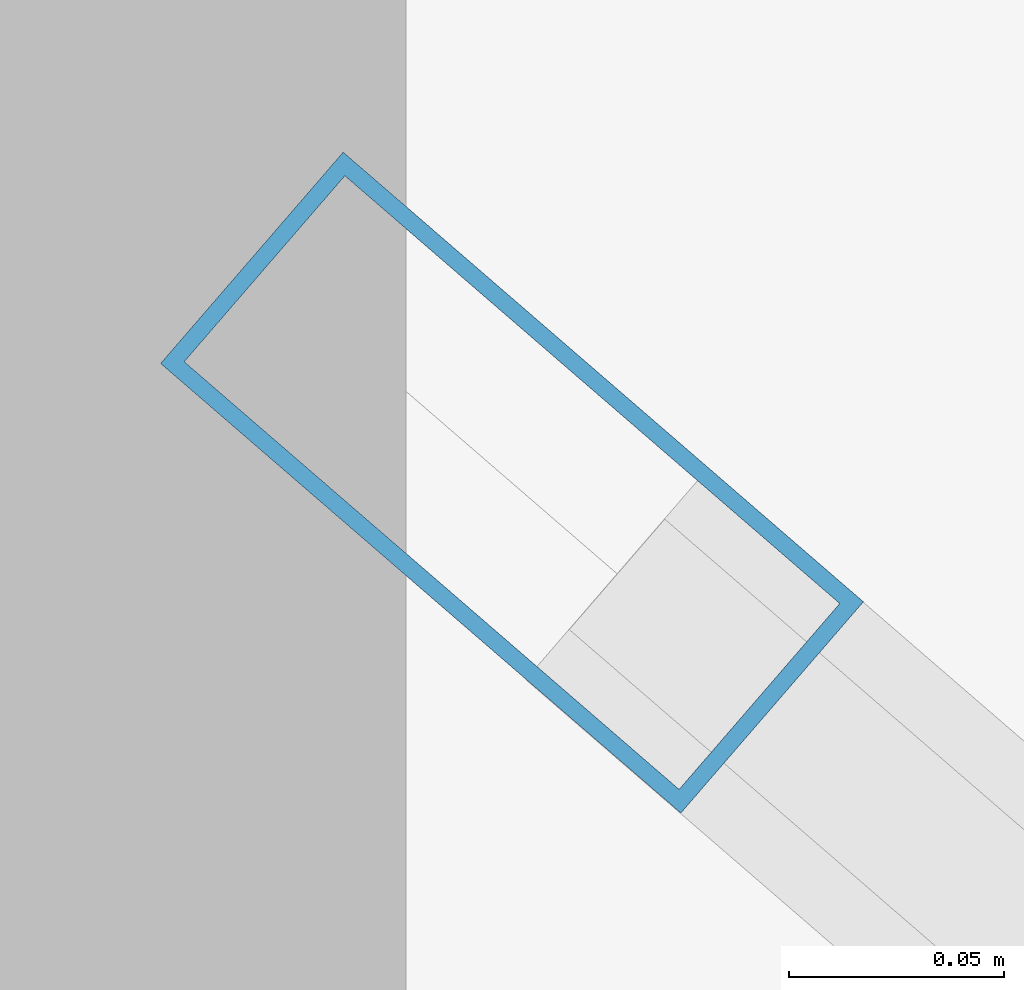
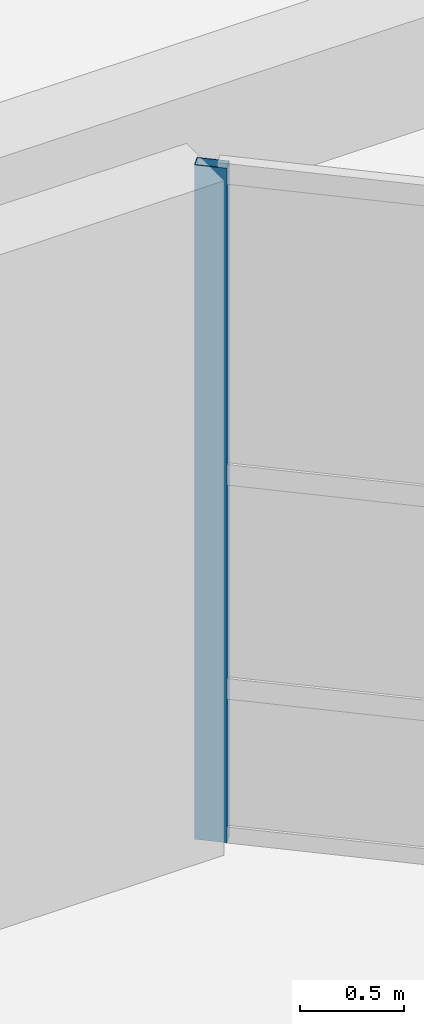
# One storey, part 34 of 114: 1 member, 1 element without a shape of its own.
"""IFC4 building model written with IfcOpenShell, lengths in metres."""

from ifc_helpers import new_model, si_unit, direction, frame, origin, origin_2d, place, context, subcontext, project, spatial, hollow_rectangle, extrude, material, layer, layer_set, material_profile, profile_set, type_object, element, aggregate, save


model = new_model("IFC4")

# Units and contexts
model_context = context("Model", 3, precision=1e-05, world=origin(), true_north=direction((0.0, 1.0)))
body_context = subcontext(model_context, "Body", "Model", "MODEL_VIEW")
ifc_project = project(units=[si_unit("LENGTHUNIT", "METRE"), si_unit("AREAUNIT", "SQUARE_METRE"), si_unit("VOLUMEUNIT", "CUBIC_METRE"), si_unit("PLANEANGLEUNIT", "RADIAN"), si_unit("MASSUNIT", "GRAM", prefix="KILO")], contexts=[model_context])

# Site, building, storey
site_placement = place(None, origin())
site = spatial("IfcSite", under=ifc_project, at=site_placement, CompositionType="ELEMENT")
building_placement = place(site_placement, origin())
building = spatial("IfcBuilding", under=site, at=building_placement, Name="Keldmere Railside Commons", CompositionType="ELEMENT")
storey_placement = place(building_placement, origin())
storey = spatial("IfcBuildingStorey", under=building, at=storey_placement, Name="L00", CompositionType="ELEMENT", Elevation=0.0)

# Curtain wall, member
ifc_material = material(Name="Thermally Broken Aluminium", Category="aluminium")
ifc_layer = layer(ifc_material, 0.159912109375, Name="Residential Ground Entrance Lobby CW 4000x3600")
ifc_layer_set = layer_set([ifc_layer], Name="Thermally Broken Aluminium")
curtain_wall_type = type_object("IfcCurtainWallType", Name="Residential Ground Entrance Lobby CW 4000x3600", PredefinedType="NOTDEFINED", material=ifc_layer_set)
curtain_wall_placement = place(storey_placement, origin())
curtain_wall = element("IfcCurtainWall", 1, at=curtain_wall_placement, inside=storey, type_object=curtain_wall_type, Name="CW-10 CW-L00-088", PredefinedType="NOTDEFINED")
ifc_material_profile = material_profile(ifc_material, hollow_rectangle(XDim=0.06494140625, YDim=0.159912109375, WallThickness=0.00390625, at=origin_2d()), Name="ALU-MULL-65x160")
ifc_profile_set = profile_set([ifc_material_profile], Name="Thermally Broken Aluminium")
member_type = type_object("IfcMemberType", Name="Unitised Curtain Wall Mullion 65x160", PredefinedType="MULLION", material=ifc_profile_set)
member_placement = place(storey_placement, frame((96.024658203125, 99.978759765625, 0.0), z_axis=(0.0, 0.0, 1.0), x_axis=(-0.653881741053, -0.756596767584, 0.0)))
member = element("IfcMember", 2, at=member_placement, type_object=member_type, Name="CW-10 mullion 4", PredefinedType="MULLION", context=body_context, shape_type="SweptSolid", body=[
    extrude(hollow_rectangle(XDim=0.06494140625, YDim=0.159912109375, WallThickness=0.00390625, at=origin_2d()), origin(), (0.0, 0.0, 1.0), 3.93994140625),
])
aggregate(curtain_wall, [member])

save(model, "model.ifc")
